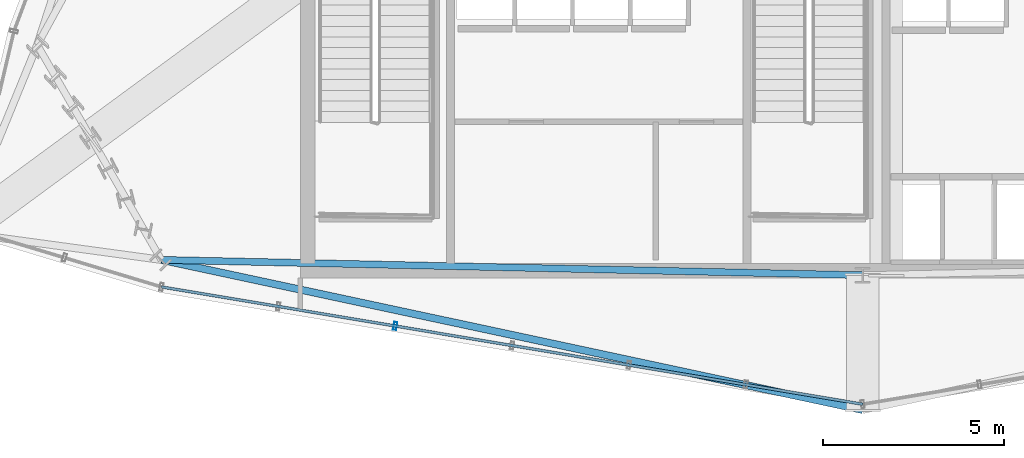
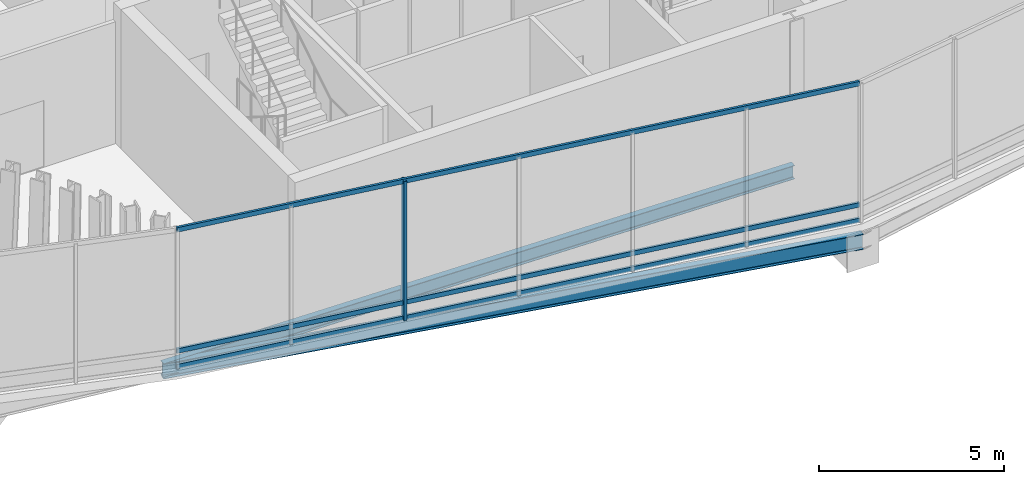
# One storey, part 3 of 28: 4 members, 2 beams, 1 element without a shape of its own.
"""IFC4 building model written with IfcOpenShell, lengths in metres."""

from ifc_helpers import new_model, si_unit, direction, frame, origin, origin_2d, place, context, subcontext, project, spatial, hollow_rectangle, i_section, extrude, material, layer, layer_set, material_profile, profile_set, type_object, element, aggregate, save


model = new_model("IFC4")

# Units and contexts
model_context = context("Model", 3, precision=1e-05, world=origin(), true_north=direction((0.0, 1.0)))
body_context = subcontext(model_context, "Body", "Model", "MODEL_VIEW")
ifc_project = project(units=[si_unit("LENGTHUNIT", "METRE"), si_unit("AREAUNIT", "SQUARE_METRE"), si_unit("VOLUMEUNIT", "CUBIC_METRE"), si_unit("PLANEANGLEUNIT", "RADIAN"), si_unit("MASSUNIT", "GRAM", prefix="KILO")], contexts=[model_context])

# Site, building, storey
site_placement = place(None, origin())
site = spatial("IfcSite", under=ifc_project, at=site_placement, CompositionType="ELEMENT")
building_placement = place(site_placement, origin())
building = spatial("IfcBuilding", under=site, at=building_placement, Name="Ndaravel Arena Tower", CompositionType="ELEMENT")
storey_placement = place(building_placement, frame((0.0, 0.0, 213.199951171875)))
storey = spatial("IfcBuildingStorey", under=building, at=storey_placement, Name="L51", CompositionType="ELEMENT", Elevation=213.199951171875)

# Beams
ifc_material_1 = material(Name="Steel S355", Category="steel")
ifc_material_profile_1 = material_profile(ifc_material_1, i_section(OverallWidth=0.18994140625, OverallDepth=0.449951171875, WebThickness=0.009521484375, FlangeThickness=0.0146484375, FilletRadius=0.02099609375, at=origin_2d()), Name="IPE 450")
ifc_profile_set_1 = profile_set([ifc_material_profile_1], Name="Steel S355")
beam_type_1 = type_object("IfcBeamType", Name="BM-SPAN-IPE450", PredefinedType="SPANDREL", material=ifc_profile_set_1)
beam_1_placement = place(storey_placement, frame((22.602783203125, 5.904541015625, -0.5048828125), z_axis=(0.99976055023, -0.021882463365, 0.0), x_axis=(0.021882463365, 0.99976055023, 0.0)))
element("IfcBeam", 1, at=beam_1_placement, inside=storey, type_object=beam_type_1, Name="L51 Perimeter Spandrel Beam SP-27", PredefinedType="SPANDREL", context=body_context, shape_type="SweptSolid", body=[
    extrude(i_section(OverallWidth=0.18994140625, OverallDepth=0.449951171875, WebThickness=0.009521484375, FlangeThickness=0.0146484375, FilletRadius=0.02099609375, at=origin_2d()), origin(), (0.0, 0.0, 1.0), 19.40185546875),
])
ifc_material_2 = material(Name="Steel S355", Category="steel")
ifc_material_profile_2 = material_profile(ifc_material_2, i_section(OverallWidth=0.199951171875, OverallDepth=0.5, WebThickness=0.01025390625, FlangeThickness=0.01611328125, FilletRadius=0.02099609375, at=origin_2d()), Name="IPE 500")
ifc_profile_set_2 = profile_set([ifc_material_profile_2], Name="Steel S355")
beam_type_2 = type_object("IfcBeamType", Name="BM-SPAN-IPE500", PredefinedType="SPANDREL", material=ifc_profile_set_2)
beam_2_placement = place(storey_placement, frame((22.602783203125, 5.904541015625, -0.530029296875), z_axis=(0.977823121497, -0.209432430788, 0.0), x_axis=(0.209432430788, 0.977823121497, 0.0)))
element("IfcBeam", 2, at=beam_2_placement, inside=storey, type_object=beam_type_2, Name="L51 Star Facet Edge Beam SEA-2", PredefinedType="SPANDREL", context=body_context, shape_type="SweptSolid", body=[
    extrude(i_section(OverallWidth=0.199951171875, OverallDepth=0.5, WebThickness=0.01025390625, FlangeThickness=0.01611328125, FilletRadius=0.02099609375, at=origin_2d()), origin(), (0.0, 0.0, 1.0), 19.837158203125),
])

# Curtain wall, members
ifc_material_3 = material(Name="Aluminium", Category="aluminium")
ifc_layer = layer(ifc_material_3, 0.179931640625)
ifc_layer_set = layer_set([ifc_layer], Name="Aluminium")
curtain_wall_type = type_object("IfcCurtainWallType", Name="CW-SYS-04", PredefinedType="NOTDEFINED", material=ifc_layer_set)
curtain_wall_placement = place(storey_placement, origin())
curtain_wall = element("IfcCurtainWall", 3, at=curtain_wall_placement, inside=storey, type_object=curtain_wall_type, Name="L51 Faceted Crystal Curtain Wall CW-L51-E02", PredefinedType="NOTDEFINED")
ifc_material_4 = material(Name="Aluminium", Category="aluminium")
ifc_material_profile_3 = material_profile(ifc_material_4, hollow_rectangle(XDim=0.090087890625, YDim=0.219970703125, WallThickness=0.0048828125, at=origin_2d()), Name="CW MULLION 90x220x5")
ifc_profile_set_3 = profile_set([ifc_material_profile_3], Name="Aluminium")
member_type_1 = type_object("IfcMemberType", Name="MEM-CW-MUL220", PredefinedType="MULLION", material=ifc_profile_set_3)
member_1_placement = place(storey_placement, frame((29.071533203125, 4.07470703125, 0.0), z_axis=(0.0, 0.0, 1.0), x_axis=(0.98629712163, -0.164978749734, 0.0)))
member_1 = element("IfcMember", 4, at=member_1_placement, type_object=member_type_1, Name="CW-L51-E02 Mullion 02", PredefinedType="MULLION", context=body_context, shape_type="SweptSolid", body=[
    extrude(hollow_rectangle(XDim=0.090087890625, YDim=0.219970703125, WallThickness=0.0048828125, at=origin_2d()), origin(), (0.0, 0.0, 1.0), 4.580078125),
])
ifc_material_5 = material(Name="Aluminium", Category="aluminium")
ifc_material_profile_4 = material_profile(ifc_material_5, hollow_rectangle(XDim=0.074951171875, YDim=0.14990234375, WallThickness=0.00390625, at=origin_2d()), Name="CW TRANSOM 75x150x4")
ifc_profile_set_4 = profile_set([ifc_material_profile_4], Name="Aluminium")
member_type_2 = type_object("IfcMemberType", Name="MEM-CW-TRN150", PredefinedType="USERDEFINED", material=ifc_profile_set_4)
member_2_placement = place(storey_placement, frame((22.607421875, 5.156005859375, 0.0400390625), z_axis=(0.986296429619, -0.16498288675, 0.0), x_axis=(0.16498288675, 0.986296429619, 0.0)))
member_2 = element("IfcMember", 5, at=member_2_placement, type_object=member_type_2, Name="CW-L51-E02 Transom 01", ObjectType="TRANSOM", PredefinedType="USERDEFINED", context=body_context, shape_type="SweptSolid", body=[
    extrude(hollow_rectangle(XDim=0.074951171875, YDim=0.14990234375, WallThickness=0.00390625, at=origin_2d()), origin(), (0.0, 0.0, 1.0), 19.662109375),
])
member_3_placement = place(storey_placement, frame((22.607421875, 5.156005859375, 0.550048828125), z_axis=(0.986296429619, -0.16498288675, 0.0), x_axis=(0.16498288675, 0.986296429619, 0.0)))
member_3 = element("IfcMember", 6, at=member_3_placement, type_object=member_type_2, Name="CW-L51-E02 Transom 02", ObjectType="TRANSOM", PredefinedType="USERDEFINED", context=body_context, shape_type="SweptSolid", body=[
    extrude(hollow_rectangle(XDim=0.074951171875, YDim=0.14990234375, WallThickness=0.00390625, at=origin_2d()), origin(), (0.0, 0.0, 1.0), 19.662109375),
])
member_4_placement = place(storey_placement, frame((22.607421875, 5.156005859375, 4.5400390625), z_axis=(0.986296429619, -0.16498288675, 0.0), x_axis=(0.16498288675, 0.986296429619, 0.0)))
member_4 = element("IfcMember", 7, at=member_4_placement, type_object=member_type_2, Name="CW-L51-E02 Transom 03", ObjectType="TRANSOM", PredefinedType="USERDEFINED", context=body_context, shape_type="SweptSolid", body=[
    extrude(hollow_rectangle(XDim=0.074951171875, YDim=0.14990234375, WallThickness=0.00390625, at=origin_2d()), origin(), (0.0, 0.0, 1.0), 19.662109375),
])
aggregate(curtain_wall, [member_1, member_2, member_3, member_4])

save(model, "model.ifc")
